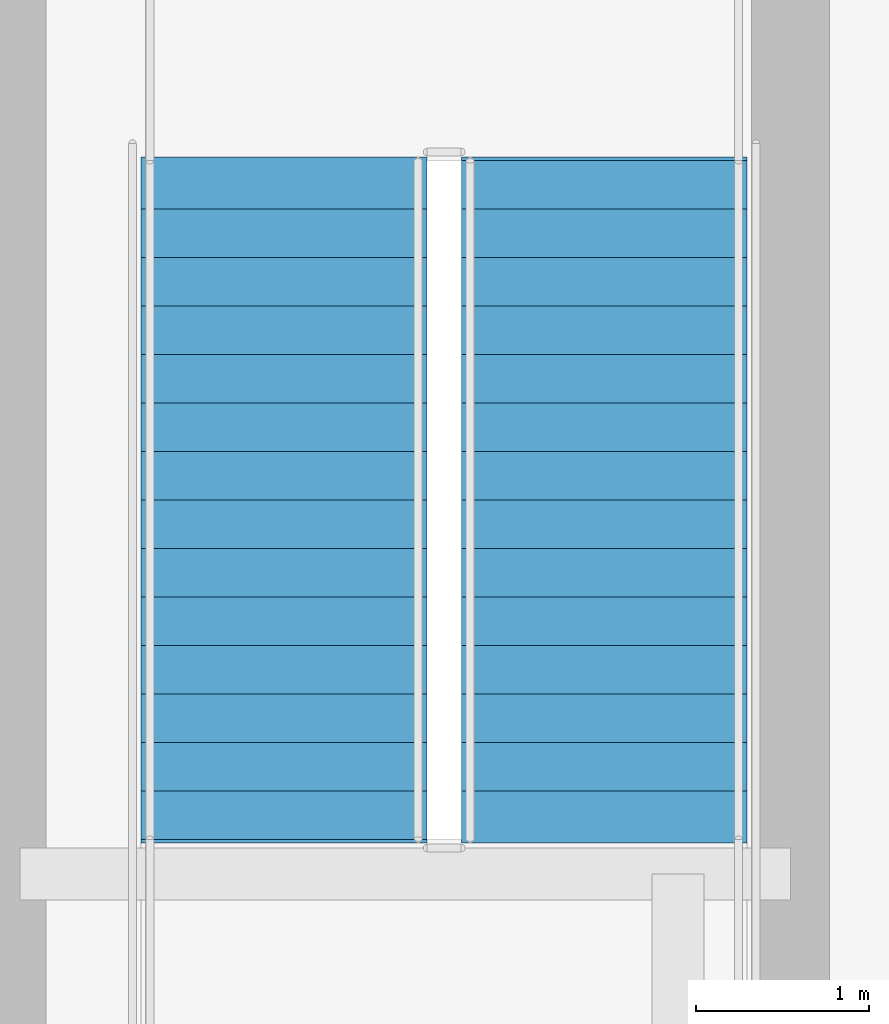
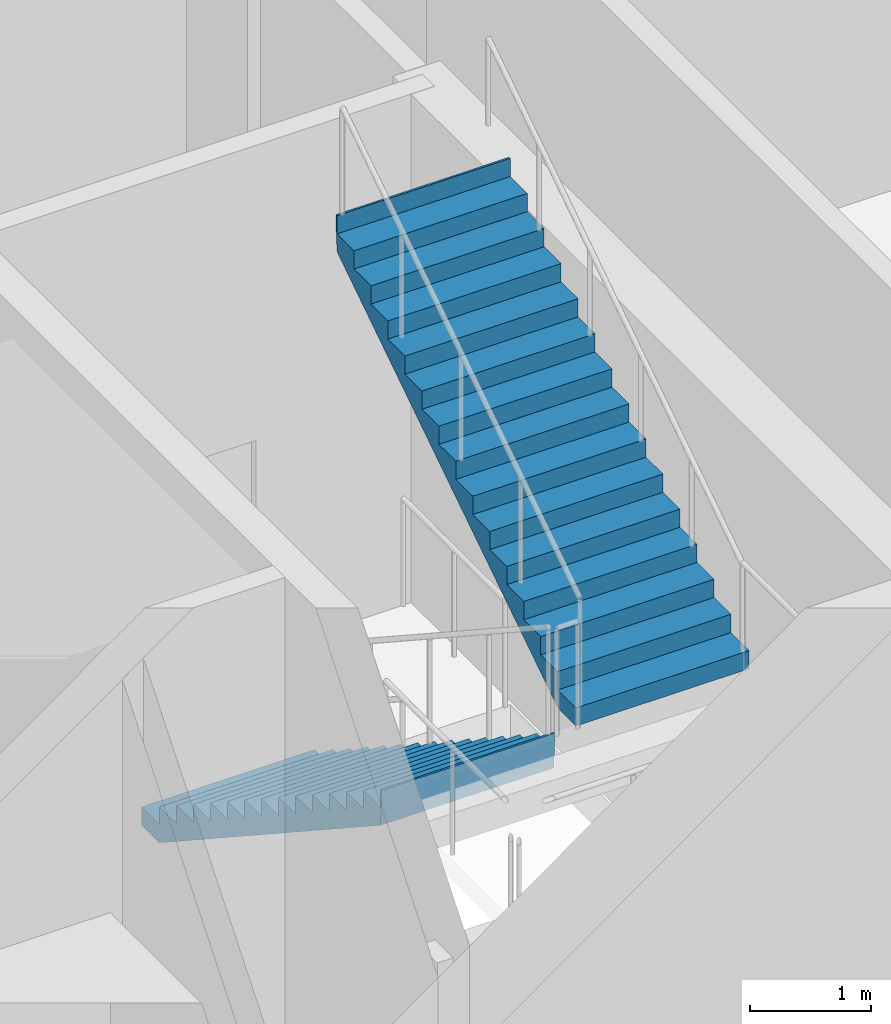
# One storey, part 8 of 15: 2 stair flights, 1 element without a shape of its own.
"""IFC4 building model written with IfcOpenShell, lengths in metres."""

import ifcopenshell
import ifcopenshell.guid

model = None  # the IFC model being written
_history = None  # IfcOwnerHistory: only IFC2X3 demands one
_inside = {}  # id of a spatial element -> (the spatial element, [elements in it])
_under = {}  # id of a project, library or spatial element -> (it, [spatial elements below it])
_declared = {}  # id of a project -> (the project, [libraries it declares])
_typed = {}  # id of a type object -> (the type object, [elements of that type])
_made_of = {}  # id of a material, layer set ... -> (it, [elements and type objects made of it])


def new_model(schema):
    """Start an empty IFC model of exactly this schema.

    Asked for "IFC4X3", IfcOpenShell would pick the latest addendum, in which some entities
    have other attributes; the version numbers below select the first issue.
    IFC2X3 requires an IfcOwnerHistory on every rooted entity: one is made here for all.
    """
    global model, _history
    if schema == "IFC4X3":
        model = ifcopenshell.file(schema_version=(4, 3, 0, 0))
    else:
        model = ifcopenshell.file(schema=schema)
    _inside.clear()
    _under.clear()
    _declared.clear()
    _typed.clear()
    _made_of.clear()
    _history = None
    if model.schema == "IFC2X3":
        org = make("IfcOrganization", Name="unknown")
        user = make(
            "IfcPersonAndOrganization",
            ThePerson=make("IfcPerson", FamilyName="unknown"),
            TheOrganization=org,
        )
        app = make(
            "IfcApplication",
            ApplicationDeveloper=org,
            Version="unknown",
            ApplicationFullName="unknown",
            ApplicationIdentifier="unknown",
        )
        _history = make(
            "IfcOwnerHistory",
            OwningUser=user,
            OwningApplication=app,
            ChangeAction="ADDED",
            CreationDate=0,
        )
    return model


def make(cls, **values):
    """One entity of the class cls with the attributes given. An attribute that is None is left unset."""
    return model.create_entity(
        cls, **{name: value for name, value in values.items() if value is not None}
    )


def rooted(cls, **values):
    """An entity with a GlobalId (a new one), such as an element, a storey or a relation."""
    return make(cls, GlobalId=ifcopenshell.guid.new(), OwnerHistory=_history, **values)


def si_unit(unit_type, name, prefix=None):
    """IfcSIUnit, for example si_unit("LENGTHUNIT", "METRE", prefix="MILLI")."""
    return make("IfcSIUnit", UnitType=unit_type, Prefix=prefix, Name=name)


def assignment(units):
    """IfcUnitAssignment: the units of a project."""
    return None if units is None else make("IfcUnitAssignment", Units=units)


def point(xyz):
    """IfcCartesianPoint."""
    return None if xyz is None else make("IfcCartesianPoint", Coordinates=xyz)


def direction(xyz):
    """IfcDirection."""
    return None if xyz is None else make("IfcDirection", DirectionRatios=xyz)


def frame(location, z_axis=None, x_axis=None):
    """IfcAxis2Placement3D, a coordinate frame: its origin and axes. An axis left out is left unset."""
    return make(
        "IfcAxis2Placement3D",
        Location=point(location),
        Axis=direction(z_axis),
        RefDirection=direction(x_axis),
    )


def origin():
    """The frame at (0, 0, 0) with its axes left unset."""
    return frame((0.0, 0.0, 0.0))


def place(relative_to, where):
    """IfcLocalPlacement: puts the frame where relative to a parent placement (None: the world)."""
    return make(
        "IfcLocalPlacement", PlacementRelTo=relative_to, RelativePlacement=where
    )


def context(
    kind, dimensions, precision=None, world=None, true_north=None, identifier=None
):
    """IfcGeometricRepresentationContext, for example the 3D "Model" context."""
    return make(
        "IfcGeometricRepresentationContext",
        ContextIdentifier=identifier,
        ContextType=kind,
        CoordinateSpaceDimension=dimensions,
        Precision=precision,
        WorldCoordinateSystem=world,
        TrueNorth=true_north,
    )


def subcontext(parent, identifier, kind, view, scale=None):
    """IfcGeometricRepresentationSubContext, for example "Body" below "Model"."""
    return make(
        "IfcGeometricRepresentationSubContext",
        ContextIdentifier=identifier,
        ContextType=kind,
        ParentContext=parent,
        TargetScale=scale,
        TargetView=view,
    )


def project(units=None, contexts=None):
    """IfcProject with its units and contexts."""
    return rooted(
        "IfcProject",
        Name="project",
        RepresentationContexts=contexts,
        UnitsInContext=assignment(units),
    )


def spatial(cls, under=None, at=None, **own):
    """A site, building, storey or space (cls), placed at a placement, below another one or the project."""
    s = rooted(cls, ObjectPlacement=at, **own)
    if under is not None:
        _under.setdefault(under.id(), (under, []))[1].append(s)
    return s


def point_list(points):
    """IfcCartesianPointList2D or 3D."""
    cls = (
        "IfcCartesianPointList2D" if len(points[0]) == 2 else "IfcCartesianPointList3D"
    )
    return make(cls, CoordList=points)


def polygons(points, faces, closed=None, point_numbers=None):
    """IfcPolygonalFaceSet: a face is its outer loop, then its inner loops; points numbered from 1."""
    made = []
    for loops in faces:
        if len(loops) == 1:
            made.append(make("IfcIndexedPolygonalFace", CoordIndex=loops[0]))
        else:
            made.append(
                make(
                    "IfcIndexedPolygonalFaceWithVoids",
                    CoordIndex=loops[0],
                    InnerCoordIndices=loops[1:],
                )
            )
    return make(
        "IfcPolygonalFaceSet",
        Coordinates=point_list(points),
        Closed=closed,
        Faces=made,
        PnIndex=point_numbers,
    )


def shape(context_of_items, identifier, shape_type, items):
    """IfcShapeRepresentation: the items that make up one representation, for example the "Body"."""
    return make(
        "IfcShapeRepresentation",
        ContextOfItems=context_of_items,
        RepresentationIdentifier=identifier,
        RepresentationType=shape_type,
        Items=items,
    )


def material(Name=None, Category=None):
    """IfcMaterial."""
    return make("IfcMaterial", Name=Name, Category=Category)


def made_of(thing, what):
    """Note that an element or type object is made of a material, layer set ...; save() writes the relation."""
    if what is not None:
        _made_of.setdefault(what.id(), (what, []))[1].append(thing)
    return thing


def type_object(cls, material=None, **own):
    """A type object (cls), such as IfcWallType, which elements share."""
    return made_of(rooted(cls, **own), material)


def element(
    cls,
    number,
    at=None,
    inside=None,
    cuts=None,
    type_object=None,
    material=None,
    context=None,
    identifier="Body",
    shape_type=None,
    held_by="IfcProductDefinitionShape",
    body=None,
    shapes=None,
    **own,
):
    """One element of the class cls, such as IfcWall. Its Tag is "e" and its number.

    at: its placement. inside: the storey or other place that contains it. cuts: it is an
    opening in that element (IfcRelVoidsElement). A single representation is given by context,
    identifier, shape_type and body (its items); several are given by shapes. held_by: the class
    of the entity that holds the representations. save() writes the other relations.
    """
    e = rooted(cls, Tag="e%d" % number, ObjectPlacement=at, **own)
    if body is not None:
        shapes = [shape(context, identifier, shape_type, body)]
    if shapes is not None:
        e.Representation = make(held_by, Representations=shapes)
    if inside is not None:
        _inside.setdefault(inside.id(), (inside, []))[1].append(e)
    if cuts is not None:
        rooted(
            "IfcRelVoidsElement", RelatingBuildingElement=cuts, RelatedOpeningElement=e
        )
    if type_object is not None:
        _typed.setdefault(type_object.id(), (type_object, []))[1].append(e)
    return made_of(e, material)


def aggregate(whole, parts):
    """IfcRelAggregates: a whole, such as a stair, and the parts it consists of."""
    return rooted("IfcRelAggregates", RelatingObject=whole, RelatedObjects=parts)


def save(model, path):
    """Write the relations noted so far, then the file.

    IfcRelAggregates (storeys below a building ...), IfcRelContainedInSpatialStructure (elements
    in a storey), IfcRelDefinesByType, IfcRelAssociatesMaterial and IfcRelDeclares: one each for
    every whole, place, type object, material and project.
    """
    for whole, parts in _under.values():
        aggregate(whole, parts)
    for where, things in _inside.values():
        rooted(
            "IfcRelContainedInSpatialStructure",
            RelatedElements=things,
            RelatingStructure=where,
        )
    for kind, things in _typed.values():
        rooted("IfcRelDefinesByType", RelatedObjects=things, RelatingType=kind)
    for what, things in _made_of.values():
        rooted("IfcRelAssociatesMaterial", RelatedObjects=things, RelatingMaterial=what)
    for by, libraries in _declared.values():
        rooted("IfcRelDeclares", RelatingContext=by, RelatedDefinitions=libraries)
    model.write(path)


model = new_model("IFC4")

# Units and contexts
model_context = context("Model", 3, precision=1e-05, world=origin(), true_north=direction((0.0, 1.0)))
body_context = subcontext(model_context, "Body", "Model", "MODEL_VIEW")
ifc_project = project(units=[si_unit("LENGTHUNIT", "METRE"), si_unit("AREAUNIT", "SQUARE_METRE"), si_unit("VOLUMEUNIT", "CUBIC_METRE"), si_unit("PLANEANGLEUNIT", "RADIAN"), si_unit("MASSUNIT", "GRAM", prefix="KILO")], contexts=[model_context])

# Site, building, storey
site_placement = place(None, origin())
site = spatial("IfcSite", under=ifc_project, at=site_placement, CompositionType="ELEMENT")
building_placement = place(site_placement, origin())
building = spatial("IfcBuilding", under=site, at=building_placement, Name="Serunith Strait Residences", CompositionType="ELEMENT")
storey_placement = place(building_placement, origin())
storey = spatial("IfcBuildingStorey", under=building, at=storey_placement, Name="L00", CompositionType="ELEMENT", Elevation=0.0)

# Stair, stair flights
ifc_material = material(Name="Concrete C50/60", Category="concrete")
stair_type = type_object("IfcStairType", Name="STR-CORE-2", PredefinedType="HALF_TURN_STAIR", material=ifc_material)
stair_placement = place(storey_placement, origin())
stair = element("IfcStair", 1, at=stair_placement, inside=storey, type_object=stair_type, Name="L00 Protected Escape Stair ST-2", PredefinedType="HALF_TURN_STAIR")
stair_flight_type = type_object("IfcStairFlightType", Name="FLT-CORE-2", PredefinedType="STRAIGHT", material=ifc_material)
stair_flight_1_placement = place(storey_placement, frame((38.47509765625, 23.3701171875, 0.0), z_axis=(0.0, 0.0, 1.0), x_axis=(0.0, -1.0, 0.0)))
stair_flight_1 = element("IfcStairFlight", 2, at=stair_flight_1_placement, type_object=stair_flight_type, Name="ST-2 flight 1", NumberOfRisers=15, NumberOfTreads=14, PredefinedType="STRAIGHT", RiserHeight=0.183333333, TreadLength=0.28, context=body_context, shape_type="Tessellation", body=[
    polygons([(-0.02001953125, -0.824951171875, 0.0), (-0.02001953125, -0.824951171875, 0.183349609375), (0.280029296875, -0.824951171875, 0.183349609375), (0.280029296875, -0.824951171875, 0.36669921875), (0.56005859375, -0.824951171875, 0.36669921875), (0.56005859375, -0.824951171875, 0.550048828125), (0.840087890625, -0.824951171875, 0.550048828125), (0.840087890625, -0.824951171875, 0.7333984375), (1.1201171875, -0.824951171875, 0.7333984375), (1.1201171875, -0.824951171875, 0.916748046875), (1.39990234375, -0.824951171875, 0.916748046875), (1.39990234375, -0.824951171875, 1.10009765625), (1.679931640625, -0.824951171875, 1.10009765625), (1.679931640625, -0.824951171875, 1.283447265625), (1.9599609375, -0.824951171875, 1.283447265625), (1.9599609375, -0.824951171875, 1.466552734375), (2.239990234375, -0.824951171875, 1.466552734375), (2.239990234375, -0.824951171875, 1.64990234375), (2.52001953125, -0.824951171875, 1.64990234375), (2.52001953125, -0.824951171875, 1.833251953125), (2.800048828125, -0.824951171875, 1.833251953125), (2.800048828125, -0.824951171875, 2.0166015625), (3.080078125, -0.824951171875, 2.0166015625), (3.080078125, -0.824951171875, 2.199951171875), (3.360107421875, -0.824951171875, 2.199951171875), (3.360107421875, -0.824951171875, 2.38330078125), (3.639892578125, -0.824951171875, 2.38330078125), (3.639892578125, -0.824951171875, 2.566650390625), (3.919921875, -0.824951171875, 2.566650390625), (3.919921875, -0.824951171875, 2.75), (3.93994140625, -0.824951171875, 2.75), (3.93994140625, -0.824951171875, 2.68994140625), (3.919921875, -0.824951171875, 2.387451171875), (0.273681640625, -0.824951171875, 0.0), (-0.02001953125, -0.41259765625, 0.0), (-0.02001953125, -0.41259765625, 0.183349609375), (0.280029296875, -0.41259765625, 0.183349609375), (0.280029296875, -0.41259765625, 0.36669921875), (0.56005859375, -0.41259765625, 0.36669921875), (0.56005859375, -0.41259765625, 0.550048828125), (0.840087890625, -0.41259765625, 0.550048828125), (0.840087890625, -0.41259765625, 0.7333984375), (1.1201171875, -0.41259765625, 0.7333984375), (1.1201171875, -0.41259765625, 0.916748046875), (1.39990234375, -0.41259765625, 0.916748046875), (1.39990234375, -0.41259765625, 1.10009765625), (1.679931640625, -0.41259765625, 1.10009765625), (1.679931640625, -0.41259765625, 1.283447265625), (1.9599609375, -0.41259765625, 1.283447265625), (1.9599609375, -0.41259765625, 1.466552734375), (2.239990234375, -0.41259765625, 1.466552734375), (2.239990234375, -0.41259765625, 1.64990234375), (2.52001953125, -0.41259765625, 1.64990234375), (2.52001953125, -0.41259765625, 1.833251953125), (2.800048828125, -0.41259765625, 1.833251953125), (2.800048828125, -0.41259765625, 2.0166015625), (3.080078125, -0.41259765625, 2.0166015625), (3.080078125, -0.41259765625, 2.199951171875), (3.360107421875, -0.41259765625, 2.199951171875), (3.360107421875, -0.41259765625, 2.38330078125), (3.639892578125, -0.41259765625, 2.38330078125), (3.639892578125, -0.41259765625, 2.566650390625), (3.919921875, -0.41259765625, 2.566650390625), (3.919921875, -0.41259765625, 2.75), (3.93994140625, -0.41259765625, 2.75), (3.93994140625, -0.41259765625, 2.68994140625), (3.919921875, -0.41259765625, 2.387451171875), (0.273681640625, -0.41259765625, 0.0), (-0.02001953125, 0.0, 0.0), (-0.02001953125, 0.0, 0.183349609375), (0.280029296875, 0.0, 0.183349609375), (0.280029296875, 0.0, 0.36669921875), (0.56005859375, 0.0, 0.36669921875), (0.56005859375, 0.0, 0.550048828125), (0.840087890625, 0.0, 0.550048828125), (0.840087890625, 0.0, 0.7333984375), (1.1201171875, 0.0, 0.7333984375), (1.1201171875, 0.0, 0.916748046875), (1.39990234375, 0.0, 0.916748046875), (1.39990234375, 0.0, 1.10009765625), (1.679931640625, 0.0, 1.10009765625), (1.679931640625, 0.0, 1.283447265625), (1.9599609375, 0.0, 1.283447265625), (1.9599609375, 0.0, 1.466552734375), (2.239990234375, 0.0, 1.466552734375), (2.239990234375, 0.0, 1.64990234375), (2.52001953125, 0.0, 1.64990234375), (2.52001953125, 0.0, 1.833251953125), (2.800048828125, 0.0, 1.833251953125), (2.800048828125, 0.0, 2.0166015625), (3.080078125, 0.0, 2.0166015625), (3.080078125, 0.0, 2.199951171875), (3.360107421875, 0.0, 2.199951171875), (3.360107421875, 0.0, 2.38330078125), (3.639892578125, 0.0, 2.38330078125), (3.639892578125, 0.0, 2.566650390625), (3.919921875, 0.0, 2.566650390625), (3.919921875, 0.0, 2.75), (3.93994140625, 0.0, 2.75), (3.93994140625, 0.0, 2.68994140625), (3.919921875, 0.0, 2.387451171875), (0.273681640625, 0.0, 0.0), (-0.02001953125, 0.41259765625, 0.0), (-0.02001953125, 0.41259765625, 0.183349609375), (0.280029296875, 0.41259765625, 0.183349609375), (0.280029296875, 0.41259765625, 0.36669921875), (0.56005859375, 0.41259765625, 0.36669921875), (0.56005859375, 0.41259765625, 0.550048828125), (0.840087890625, 0.41259765625, 0.550048828125), (0.840087890625, 0.41259765625, 0.7333984375), (1.1201171875, 0.41259765625, 0.7333984375), (1.1201171875, 0.41259765625, 0.916748046875), (1.39990234375, 0.41259765625, 0.916748046875), (1.39990234375, 0.41259765625, 1.10009765625), (1.679931640625, 0.41259765625, 1.10009765625), (1.679931640625, 0.41259765625, 1.283447265625), (1.9599609375, 0.41259765625, 1.283447265625), (1.9599609375, 0.41259765625, 1.466552734375), (2.239990234375, 0.41259765625, 1.466552734375), (2.239990234375, 0.41259765625, 1.64990234375), (2.52001953125, 0.41259765625, 1.64990234375), (2.52001953125, 0.41259765625, 1.833251953125), (2.800048828125, 0.41259765625, 1.833251953125), (2.800048828125, 0.41259765625, 2.0166015625), (3.080078125, 0.41259765625, 2.0166015625), (3.080078125, 0.41259765625, 2.199951171875), (3.360107421875, 0.41259765625, 2.199951171875), (3.360107421875, 0.41259765625, 2.38330078125), (3.639892578125, 0.41259765625, 2.38330078125), (3.639892578125, 0.41259765625, 2.566650390625), (3.919921875, 0.41259765625, 2.566650390625), (3.919921875, 0.41259765625, 2.75), (3.93994140625, 0.41259765625, 2.75), (3.93994140625, 0.41259765625, 2.68994140625), (3.919921875, 0.41259765625, 2.387451171875), (0.273681640625, 0.41259765625, 0.0), (-0.02001953125, 0.824951171875, 0.0), (-0.02001953125, 0.824951171875, 0.183349609375), (0.280029296875, 0.824951171875, 0.183349609375), (0.280029296875, 0.824951171875, 0.36669921875), (0.56005859375, 0.824951171875, 0.36669921875), (0.56005859375, 0.824951171875, 0.550048828125), (0.840087890625, 0.824951171875, 0.550048828125), (0.840087890625, 0.824951171875, 0.7333984375), (1.1201171875, 0.824951171875, 0.7333984375), (1.1201171875, 0.824951171875, 0.916748046875), (1.39990234375, 0.824951171875, 0.916748046875), (1.39990234375, 0.824951171875, 1.10009765625), (1.679931640625, 0.824951171875, 1.10009765625), (1.679931640625, 0.824951171875, 1.283447265625), (1.9599609375, 0.824951171875, 1.283447265625), (1.9599609375, 0.824951171875, 1.466552734375), (2.239990234375, 0.824951171875, 1.466552734375), (2.239990234375, 0.824951171875, 1.64990234375), (2.52001953125, 0.824951171875, 1.64990234375), (2.52001953125, 0.824951171875, 1.833251953125), (2.800048828125, 0.824951171875, 1.833251953125), (2.800048828125, 0.824951171875, 2.0166015625), (3.080078125, 0.824951171875, 2.0166015625), (3.080078125, 0.824951171875, 2.199951171875), (3.360107421875, 0.824951171875, 2.199951171875), (3.360107421875, 0.824951171875, 2.38330078125), (3.639892578125, 0.824951171875, 2.38330078125), (3.639892578125, 0.824951171875, 2.566650390625), (3.919921875, 0.824951171875, 2.566650390625), (3.919921875, 0.824951171875, 2.75), (3.93994140625, 0.824951171875, 2.75), (3.93994140625, 0.824951171875, 2.68994140625), (3.919921875, 0.824951171875, 2.387451171875), (0.273681640625, 0.824951171875, 0.0)], [[[1, 2, 36, 35]], [[2, 3, 37, 36]], [[3, 4, 38, 37]], [[4, 5, 39, 38]], [[5, 6, 40, 39]], [[6, 7, 41, 40]], [[7, 8, 42, 41]], [[8, 9, 43, 42]], [[9, 10, 44, 43]], [[10, 11, 45, 44]], [[11, 12, 46, 45]], [[12, 13, 47, 46]], [[13, 14, 48, 47]], [[14, 15, 49, 48]], [[15, 16, 50, 49]], [[16, 17, 51, 50]], [[17, 18, 52, 51]], [[18, 19, 53, 52]], [[19, 20, 54, 53]], [[20, 21, 55, 54]], [[21, 22, 56, 55]], [[22, 23, 57, 56]], [[23, 24, 58, 57]], [[24, 25, 59, 58]], [[25, 26, 60, 59]], [[26, 27, 61, 60]], [[27, 28, 62, 61]], [[28, 29, 63, 62]], [[29, 30, 64, 63]], [[30, 31, 65, 64]], [[31, 32, 66, 65]], [[32, 33, 67, 66]], [[33, 34, 68, 67]], [[34, 1, 35, 68]], [[35, 36, 70, 69]], [[36, 37, 71, 70]], [[37, 38, 72, 71]], [[38, 39, 73, 72]], [[39, 40, 74, 73]], [[40, 41, 75, 74]], [[41, 42, 76, 75]], [[42, 43, 77, 76]], [[43, 44, 78, 77]], [[44, 45, 79, 78]], [[45, 46, 80, 79]], [[46, 47, 81, 80]], [[47, 48, 82, 81]], [[48, 49, 83, 82]], [[49, 50, 84, 83]], [[50, 51, 85, 84]], [[51, 52, 86, 85]], [[52, 53, 87, 86]], [[53, 54, 88, 87]], [[54, 55, 89, 88]], [[55, 56, 90, 89]], [[56, 57, 91, 90]], [[57, 58, 92, 91]], [[58, 59, 93, 92]], [[59, 60, 94, 93]], [[60, 61, 95, 94]], [[61, 62, 96, 95]], [[62, 63, 97, 96]], [[63, 64, 98, 97]], [[64, 65, 99, 98]], [[65, 66, 100, 99]], [[66, 67, 101, 100]], [[67, 68, 102, 101]], [[68, 35, 69, 102]], [[69, 70, 104, 103]], [[70, 71, 105, 104]], [[71, 72, 106, 105]], [[72, 73, 107, 106]], [[73, 74, 108, 107]], [[74, 75, 109, 108]], [[75, 76, 110, 109]], [[76, 77, 111, 110]], [[77, 78, 112, 111]], [[78, 79, 113, 112]], [[79, 80, 114, 113]], [[80, 81, 115, 114]], [[81, 82, 116, 115]], [[82, 83, 117, 116]], [[83, 84, 118, 117]], [[84, 85, 119, 118]], [[85, 86, 120, 119]], [[86, 87, 121, 120]], [[87, 88, 122, 121]], [[88, 89, 123, 122]], [[89, 90, 124, 123]], [[90, 91, 125, 124]], [[91, 92, 126, 125]], [[92, 93, 127, 126]], [[93, 94, 128, 127]], [[94, 95, 129, 128]], [[95, 96, 130, 129]], [[96, 97, 131, 130]], [[97, 98, 132, 131]], [[98, 99, 133, 132]], [[99, 100, 134, 133]], [[100, 101, 135, 134]], [[101, 102, 136, 135]], [[102, 69, 103, 136]], [[103, 104, 138, 137]], [[104, 105, 139, 138]], [[105, 106, 140, 139]], [[106, 107, 141, 140]], [[107, 108, 142, 141]], [[108, 109, 143, 142]], [[109, 110, 144, 143]], [[110, 111, 145, 144]], [[111, 112, 146, 145]], [[112, 113, 147, 146]], [[113, 114, 148, 147]], [[114, 115, 149, 148]], [[115, 116, 150, 149]], [[116, 117, 151, 150]], [[117, 118, 152, 151]], [[118, 119, 153, 152]], [[119, 120, 154, 153]], [[120, 121, 155, 154]], [[121, 122, 156, 155]], [[122, 123, 157, 156]], [[123, 124, 158, 157]], [[124, 125, 159, 158]], [[125, 126, 160, 159]], [[126, 127, 161, 160]], [[127, 128, 162, 161]], [[128, 129, 163, 162]], [[129, 130, 164, 163]], [[130, 131, 165, 164]], [[131, 132, 166, 165]], [[132, 133, 167, 166]], [[133, 134, 168, 167]], [[134, 135, 169, 168]], [[135, 136, 170, 169]], [[136, 103, 137, 170]], [[34, 33, 32, 31, 30, 29, 28, 27, 26, 25, 24, 23, 22, 21, 20, 19, 18, 17, 16, 15, 14, 13, 12, 11, 10, 9, 8, 7, 6, 5, 4, 3, 2, 1]], [[137, 138, 139, 140, 141, 142, 143, 144, 145, 146, 147, 148, 149, 150, 151, 152, 153, 154, 155, 156, 157, 158, 159, 160, 161, 162, 163, 164, 165, 166, 167, 168, 169, 170]]], closed=True),
])
stair_flight_2_placement = place(storey_placement, frame((40.324951171875, 19.449951171875, 2.75), z_axis=(0.0, 0.0, 1.0), x_axis=(0.0, 1.0, 0.0)))
stair_flight_2 = element("IfcStairFlight", 3, at=stair_flight_2_placement, type_object=stair_flight_type, Name="ST-2 flight 2", NumberOfRisers=15, NumberOfTreads=14, PredefinedType="STRAIGHT", RiserHeight=0.183333333, TreadLength=0.28, context=body_context, shape_type="Tessellation", body=[
    polygons([(-0.02001953125, -0.824951171875, 0.0), (-0.02001953125, -0.824951171875, 0.183349609375), (0.280029296875, -0.824951171875, 0.183349609375), (0.280029296875, -0.824951171875, 0.36669921875), (0.56005859375, -0.824951171875, 0.36669921875), (0.56005859375, -0.824951171875, 0.550048828125), (0.840087890625, -0.824951171875, 0.550048828125), (0.840087890625, -0.824951171875, 0.7333984375), (1.1201171875, -0.824951171875, 0.7333984375), (1.1201171875, -0.824951171875, 0.916748046875), (1.39990234375, -0.824951171875, 0.916748046875), (1.39990234375, -0.824951171875, 1.10009765625), (1.679931640625, -0.824951171875, 1.10009765625), (1.679931640625, -0.824951171875, 1.283447265625), (1.9599609375, -0.824951171875, 1.283447265625), (1.9599609375, -0.824951171875, 1.466552734375), (2.239990234375, -0.824951171875, 1.466552734375), (2.239990234375, -0.824951171875, 1.64990234375), (2.52001953125, -0.824951171875, 1.64990234375), (2.52001953125, -0.824951171875, 1.833251953125), (2.800048828125, -0.824951171875, 1.833251953125), (2.800048828125, -0.824951171875, 2.0166015625), (3.080078125, -0.824951171875, 2.0166015625), (3.080078125, -0.824951171875, 2.199951171875), (3.360107421875, -0.824951171875, 2.199951171875), (3.360107421875, -0.824951171875, 2.38330078125), (3.639892578125, -0.824951171875, 2.38330078125), (3.639892578125, -0.824951171875, 2.566650390625), (3.919921875, -0.824951171875, 2.566650390625), (3.919921875, -0.824951171875, 2.75), (3.93994140625, -0.824951171875, 2.75), (3.93994140625, -0.824951171875, 2.68994140625), (3.919921875, -0.824951171875, 2.387451171875), (0.273681640625, -0.824951171875, 0.0), (-0.02001953125, -0.41259765625, 0.0), (-0.02001953125, -0.41259765625, 0.183349609375), (0.280029296875, -0.41259765625, 0.183349609375), (0.280029296875, -0.41259765625, 0.36669921875), (0.56005859375, -0.41259765625, 0.36669921875), (0.56005859375, -0.41259765625, 0.550048828125), (0.840087890625, -0.41259765625, 0.550048828125), (0.840087890625, -0.41259765625, 0.7333984375), (1.1201171875, -0.41259765625, 0.7333984375), (1.1201171875, -0.41259765625, 0.916748046875), (1.39990234375, -0.41259765625, 0.916748046875), (1.39990234375, -0.41259765625, 1.10009765625), (1.679931640625, -0.41259765625, 1.10009765625), (1.679931640625, -0.41259765625, 1.283447265625), (1.9599609375, -0.41259765625, 1.283447265625), (1.9599609375, -0.41259765625, 1.466552734375), (2.239990234375, -0.41259765625, 1.466552734375), (2.239990234375, -0.41259765625, 1.64990234375), (2.52001953125, -0.41259765625, 1.64990234375), (2.52001953125, -0.41259765625, 1.833251953125), (2.800048828125, -0.41259765625, 1.833251953125), (2.800048828125, -0.41259765625, 2.0166015625), (3.080078125, -0.41259765625, 2.0166015625), (3.080078125, -0.41259765625, 2.199951171875), (3.360107421875, -0.41259765625, 2.199951171875), (3.360107421875, -0.41259765625, 2.38330078125), (3.639892578125, -0.41259765625, 2.38330078125), (3.639892578125, -0.41259765625, 2.566650390625), (3.919921875, -0.41259765625, 2.566650390625), (3.919921875, -0.41259765625, 2.75), (3.93994140625, -0.41259765625, 2.75), (3.93994140625, -0.41259765625, 2.68994140625), (3.919921875, -0.41259765625, 2.387451171875), (0.273681640625, -0.41259765625, 0.0), (-0.02001953125, 0.0, 0.0), (-0.02001953125, 0.0, 0.183349609375), (0.280029296875, 0.0, 0.183349609375), (0.280029296875, 0.0, 0.36669921875), (0.56005859375, 0.0, 0.36669921875), (0.56005859375, 0.0, 0.550048828125), (0.840087890625, 0.0, 0.550048828125), (0.840087890625, 0.0, 0.7333984375), (1.1201171875, 0.0, 0.7333984375), (1.1201171875, 0.0, 0.916748046875), (1.39990234375, 0.0, 0.916748046875), (1.39990234375, 0.0, 1.10009765625), (1.679931640625, 0.0, 1.10009765625), (1.679931640625, 0.0, 1.283447265625), (1.9599609375, 0.0, 1.283447265625), (1.9599609375, 0.0, 1.466552734375), (2.239990234375, 0.0, 1.466552734375), (2.239990234375, 0.0, 1.64990234375), (2.52001953125, 0.0, 1.64990234375), (2.52001953125, 0.0, 1.833251953125), (2.800048828125, 0.0, 1.833251953125), (2.800048828125, 0.0, 2.0166015625), (3.080078125, 0.0, 2.0166015625), (3.080078125, 0.0, 2.199951171875), (3.360107421875, 0.0, 2.199951171875), (3.360107421875, 0.0, 2.38330078125), (3.639892578125, 0.0, 2.38330078125), (3.639892578125, 0.0, 2.566650390625), (3.919921875, 0.0, 2.566650390625), (3.919921875, 0.0, 2.75), (3.93994140625, 0.0, 2.75), (3.93994140625, 0.0, 2.68994140625), (3.919921875, 0.0, 2.387451171875), (0.273681640625, 0.0, 0.0), (-0.02001953125, 0.41259765625, 0.0), (-0.02001953125, 0.41259765625, 0.183349609375), (0.280029296875, 0.41259765625, 0.183349609375), (0.280029296875, 0.41259765625, 0.36669921875), (0.56005859375, 0.41259765625, 0.36669921875), (0.56005859375, 0.41259765625, 0.550048828125), (0.840087890625, 0.41259765625, 0.550048828125), (0.840087890625, 0.41259765625, 0.7333984375), (1.1201171875, 0.41259765625, 0.7333984375), (1.1201171875, 0.41259765625, 0.916748046875), (1.39990234375, 0.41259765625, 0.916748046875), (1.39990234375, 0.41259765625, 1.10009765625), (1.679931640625, 0.41259765625, 1.10009765625), (1.679931640625, 0.41259765625, 1.283447265625), (1.9599609375, 0.41259765625, 1.283447265625), (1.9599609375, 0.41259765625, 1.466552734375), (2.239990234375, 0.41259765625, 1.466552734375), (2.239990234375, 0.41259765625, 1.64990234375), (2.52001953125, 0.41259765625, 1.64990234375), (2.52001953125, 0.41259765625, 1.833251953125), (2.800048828125, 0.41259765625, 1.833251953125), (2.800048828125, 0.41259765625, 2.0166015625), (3.080078125, 0.41259765625, 2.0166015625), (3.080078125, 0.41259765625, 2.199951171875), (3.360107421875, 0.41259765625, 2.199951171875), (3.360107421875, 0.41259765625, 2.38330078125), (3.639892578125, 0.41259765625, 2.38330078125), (3.639892578125, 0.41259765625, 2.566650390625), (3.919921875, 0.41259765625, 2.566650390625), (3.919921875, 0.41259765625, 2.75), (3.93994140625, 0.41259765625, 2.75), (3.93994140625, 0.41259765625, 2.68994140625), (3.919921875, 0.41259765625, 2.387451171875), (0.273681640625, 0.41259765625, 0.0), (-0.02001953125, 0.824951171875, 0.0), (-0.02001953125, 0.824951171875, 0.183349609375), (0.280029296875, 0.824951171875, 0.183349609375), (0.280029296875, 0.824951171875, 0.36669921875), (0.56005859375, 0.824951171875, 0.36669921875), (0.56005859375, 0.824951171875, 0.550048828125), (0.840087890625, 0.824951171875, 0.550048828125), (0.840087890625, 0.824951171875, 0.7333984375), (1.1201171875, 0.824951171875, 0.7333984375), (1.1201171875, 0.824951171875, 0.916748046875), (1.39990234375, 0.824951171875, 0.916748046875), (1.39990234375, 0.824951171875, 1.10009765625), (1.679931640625, 0.824951171875, 1.10009765625), (1.679931640625, 0.824951171875, 1.283447265625), (1.9599609375, 0.824951171875, 1.283447265625), (1.9599609375, 0.824951171875, 1.466552734375), (2.239990234375, 0.824951171875, 1.466552734375), (2.239990234375, 0.824951171875, 1.64990234375), (2.52001953125, 0.824951171875, 1.64990234375), (2.52001953125, 0.824951171875, 1.833251953125), (2.800048828125, 0.824951171875, 1.833251953125), (2.800048828125, 0.824951171875, 2.0166015625), (3.080078125, 0.824951171875, 2.0166015625), (3.080078125, 0.824951171875, 2.199951171875), (3.360107421875, 0.824951171875, 2.199951171875), (3.360107421875, 0.824951171875, 2.38330078125), (3.639892578125, 0.824951171875, 2.38330078125), (3.639892578125, 0.824951171875, 2.566650390625), (3.919921875, 0.824951171875, 2.566650390625), (3.919921875, 0.824951171875, 2.75), (3.93994140625, 0.824951171875, 2.75), (3.93994140625, 0.824951171875, 2.68994140625), (3.919921875, 0.824951171875, 2.387451171875), (0.273681640625, 0.824951171875, 0.0)], [[[1, 2, 36, 35]], [[2, 3, 37, 36]], [[3, 4, 38, 37]], [[4, 5, 39, 38]], [[5, 6, 40, 39]], [[6, 7, 41, 40]], [[7, 8, 42, 41]], [[8, 9, 43, 42]], [[9, 10, 44, 43]], [[10, 11, 45, 44]], [[11, 12, 46, 45]], [[12, 13, 47, 46]], [[13, 14, 48, 47]], [[14, 15, 49, 48]], [[15, 16, 50, 49]], [[16, 17, 51, 50]], [[17, 18, 52, 51]], [[18, 19, 53, 52]], [[19, 20, 54, 53]], [[20, 21, 55, 54]], [[21, 22, 56, 55]], [[22, 23, 57, 56]], [[23, 24, 58, 57]], [[24, 25, 59, 58]], [[25, 26, 60, 59]], [[26, 27, 61, 60]], [[27, 28, 62, 61]], [[28, 29, 63, 62]], [[29, 30, 64, 63]], [[30, 31, 65, 64]], [[31, 32, 66, 65]], [[32, 33, 67, 66]], [[33, 34, 68, 67]], [[34, 1, 35, 68]], [[35, 36, 70, 69]], [[36, 37, 71, 70]], [[37, 38, 72, 71]], [[38, 39, 73, 72]], [[39, 40, 74, 73]], [[40, 41, 75, 74]], [[41, 42, 76, 75]], [[42, 43, 77, 76]], [[43, 44, 78, 77]], [[44, 45, 79, 78]], [[45, 46, 80, 79]], [[46, 47, 81, 80]], [[47, 48, 82, 81]], [[48, 49, 83, 82]], [[49, 50, 84, 83]], [[50, 51, 85, 84]], [[51, 52, 86, 85]], [[52, 53, 87, 86]], [[53, 54, 88, 87]], [[54, 55, 89, 88]], [[55, 56, 90, 89]], [[56, 57, 91, 90]], [[57, 58, 92, 91]], [[58, 59, 93, 92]], [[59, 60, 94, 93]], [[60, 61, 95, 94]], [[61, 62, 96, 95]], [[62, 63, 97, 96]], [[63, 64, 98, 97]], [[64, 65, 99, 98]], [[65, 66, 100, 99]], [[66, 67, 101, 100]], [[67, 68, 102, 101]], [[68, 35, 69, 102]], [[69, 70, 104, 103]], [[70, 71, 105, 104]], [[71, 72, 106, 105]], [[72, 73, 107, 106]], [[73, 74, 108, 107]], [[74, 75, 109, 108]], [[75, 76, 110, 109]], [[76, 77, 111, 110]], [[77, 78, 112, 111]], [[78, 79, 113, 112]], [[79, 80, 114, 113]], [[80, 81, 115, 114]], [[81, 82, 116, 115]], [[82, 83, 117, 116]], [[83, 84, 118, 117]], [[84, 85, 119, 118]], [[85, 86, 120, 119]], [[86, 87, 121, 120]], [[87, 88, 122, 121]], [[88, 89, 123, 122]], [[89, 90, 124, 123]], [[90, 91, 125, 124]], [[91, 92, 126, 125]], [[92, 93, 127, 126]], [[93, 94, 128, 127]], [[94, 95, 129, 128]], [[95, 96, 130, 129]], [[96, 97, 131, 130]], [[97, 98, 132, 131]], [[98, 99, 133, 132]], [[99, 100, 134, 133]], [[100, 101, 135, 134]], [[101, 102, 136, 135]], [[102, 69, 103, 136]], [[103, 104, 138, 137]], [[104, 105, 139, 138]], [[105, 106, 140, 139]], [[106, 107, 141, 140]], [[107, 108, 142, 141]], [[108, 109, 143, 142]], [[109, 110, 144, 143]], [[110, 111, 145, 144]], [[111, 112, 146, 145]], [[112, 113, 147, 146]], [[113, 114, 148, 147]], [[114, 115, 149, 148]], [[115, 116, 150, 149]], [[116, 117, 151, 150]], [[117, 118, 152, 151]], [[118, 119, 153, 152]], [[119, 120, 154, 153]], [[120, 121, 155, 154]], [[121, 122, 156, 155]], [[122, 123, 157, 156]], [[123, 124, 158, 157]], [[124, 125, 159, 158]], [[125, 126, 160, 159]], [[126, 127, 161, 160]], [[127, 128, 162, 161]], [[128, 129, 163, 162]], [[129, 130, 164, 163]], [[130, 131, 165, 164]], [[131, 132, 166, 165]], [[132, 133, 167, 166]], [[133, 134, 168, 167]], [[134, 135, 169, 168]], [[135, 136, 170, 169]], [[136, 103, 137, 170]], [[34, 33, 32, 31, 30, 29, 28, 27, 26, 25, 24, 23, 22, 21, 20, 19, 18, 17, 16, 15, 14, 13, 12, 11, 10, 9, 8, 7, 6, 5, 4, 3, 2, 1]], [[137, 138, 139, 140, 141, 142, 143, 144, 145, 146, 147, 148, 149, 150, 151, 152, 153, 154, 155, 156, 157, 158, 159, 160, 161, 162, 163, 164, 165, 166, 167, 168, 169, 170]]], closed=True),
])
aggregate(stair, [stair_flight_1, stair_flight_2])

save(model, "model.ifc")
